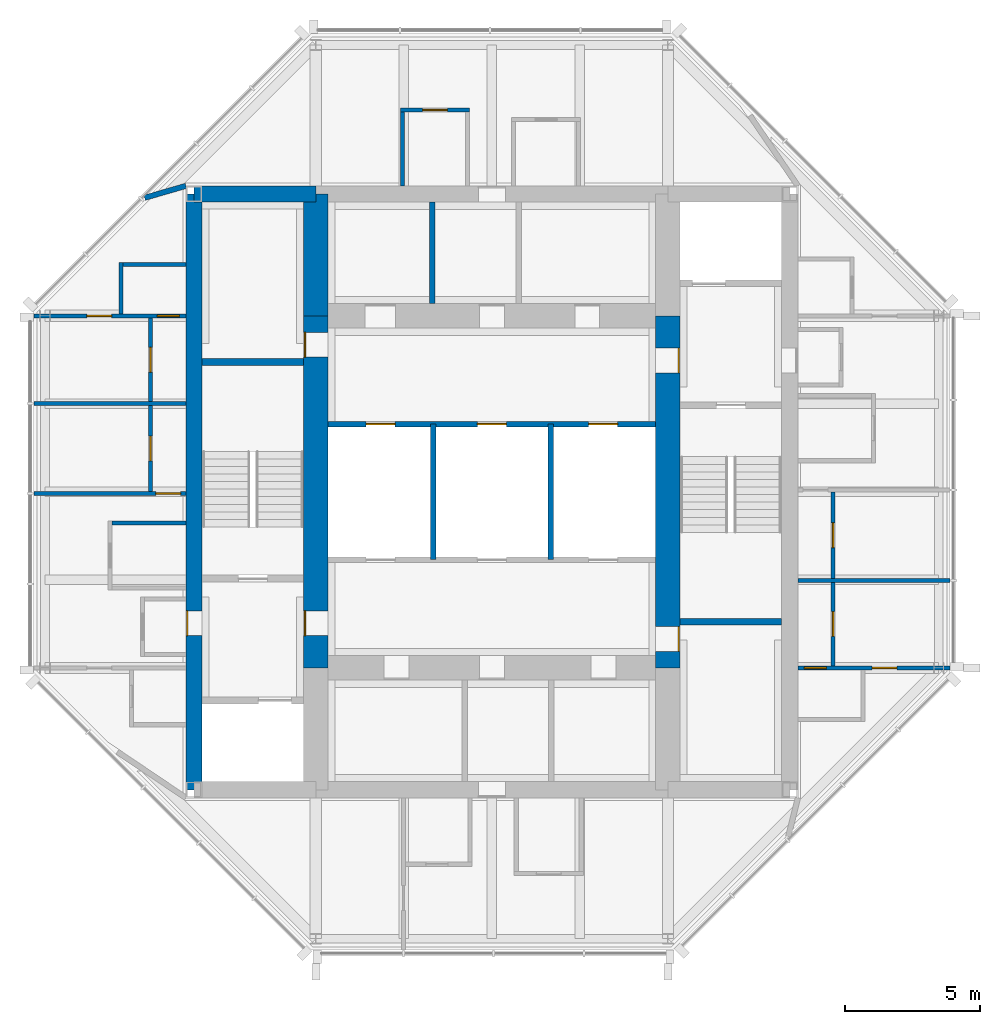
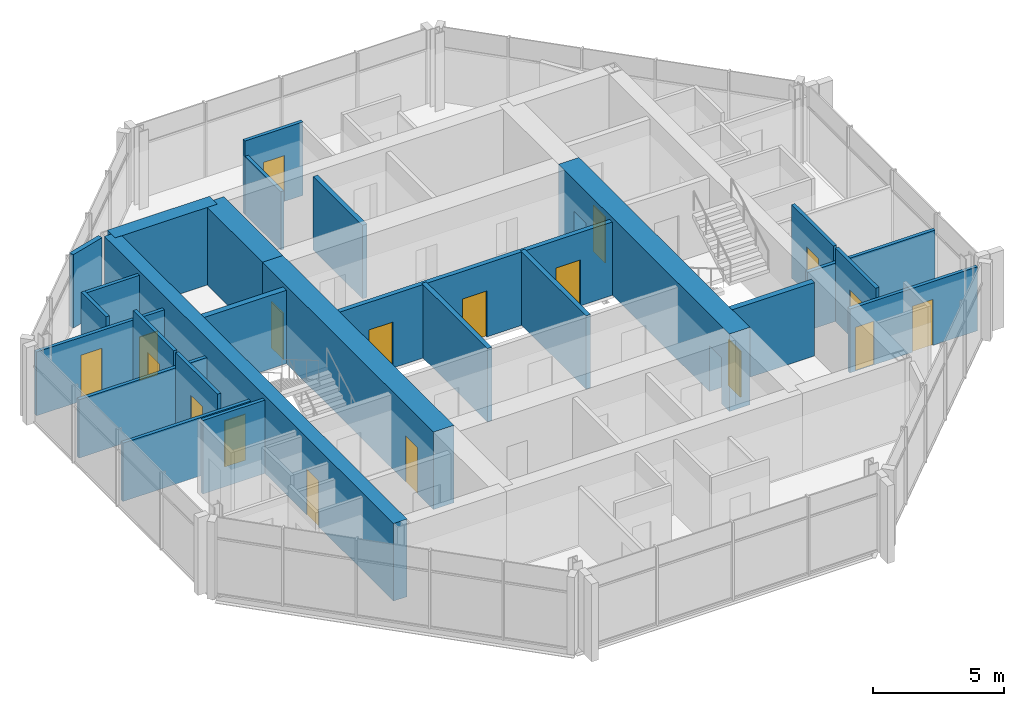
# One storey, part 6 of 9: 26 walls, 18 doors, 18 openings.
"""IFC4 building model written with IfcOpenShell, lengths in metres."""

from ifc_helpers import new_model, si_unit, direction, frame, frame_2d, origin, place, context, subcontext, project, spatial, rectangle, extrude, material, layer, layer_set, type_object, element, fill, save


model = new_model("IFC4")

# Units and contexts
model_context = context("Model", 3, precision=1e-05, world=origin(), true_north=direction((0.0, 1.0)))
body_context = subcontext(model_context, "Body", "Model", "MODEL_VIEW")
ifc_project = project(units=[si_unit("LENGTHUNIT", "METRE"), si_unit("AREAUNIT", "SQUARE_METRE"), si_unit("VOLUMEUNIT", "CUBIC_METRE"), si_unit("PLANEANGLEUNIT", "RADIAN"), si_unit("MASSUNIT", "GRAM", prefix="KILO")], contexts=[model_context])

# Site, building, storey
site_placement = place(None, origin())
site = spatial("IfcSite", under=ifc_project, at=site_placement, CompositionType="ELEMENT")
building_placement = place(site_placement, origin())
building = spatial("IfcBuilding", under=site, at=building_placement, Name="Trevanion Tower", CompositionType="ELEMENT")
storey_placement = place(building_placement, frame((0.0, 0.0, 288.39990234375)))
storey = spatial("IfcBuildingStorey", under=building, at=storey_placement, Name="L71", CompositionType="ELEMENT", Elevation=288.39990234375)

# Wall, opening, door
ifc_material_1 = material(Name="Concrete 10,000 psi", Category="concrete")
ifc_layer_1 = layer(ifc_material_1, 0.60009765625)
ifc_layer_set_1 = layer_set([ifc_layer_1], Name="CW1 core wall 600")
wall_type_1 = type_object("IfcWallType", Name="CW1 core wall 600", PredefinedType="SHEAR", material=ifc_layer_set_1)
wall_1_placement = place(storey_placement, frame((-11.0, 11.0, 0.0), z_axis=(0.0, 0.0, 1.0), x_axis=(0.0, -1.0, 0.0)))
wall_1 = element("IfcWall", 1, at=wall_1_placement, inside=storey, type_object=wall_type_1, Name="CW1 CW L71", PredefinedType="SHEAR", context=body_context, shape_type="SweptSolid", body=[
    extrude(rectangle(XDim=22.0, YDim=0.60009765625, at=frame_2d((11.0, 0.0))), origin(), (0.0, 0.0, 1.0), 3.60009765625),
])
opening_1_placement = place(wall_1_placement, frame((15.392578125, 0.0, 0.0)))
opening_1 = element("IfcOpeningElement", 2, at=opening_1_placement, cuts=wall_1, Name="Opening 71-002", PredefinedType="OPENING", context=body_context, shape_type="SweptSolid", body=[
    extrude(rectangle(XDim=0.9150390625, YDim=2.134033203125, at=frame_2d((0.45751953125, 1.06689453125))), frame((0.0, 0.31005859375, 0.0), z_axis=(0.0, -1.0, 0.0), x_axis=(1.0, 0.0, 0.0)), (0.0, 0.0, 1.0), 0.6201171875),
])
ifc_material_2 = material(Name="Hollow metal, fire rated", Category="steel")
door_type_1 = type_object("IfcDoorType", Name="D3 fire lift lobby door", OperationType="SINGLE_SWING_RIGHT", PredefinedType="DOOR", material=ifc_material_2)
door_1_placement = place(opening_1_placement, origin())
door_1 = element("IfcDoor", 3, at=door_1_placement, inside=storey, type_object=door_type_1, Name="Door 71-002", OperationType="SINGLE_SWING_RIGHT", OverallHeight=2.134033203125, OverallWidth=0.9150390625, PredefinedType="DOOR", context=body_context, shape_type="SweptSolid", body=[
    extrude(rectangle(XDim=0.9150390625, YDim=2.134033203125, at=frame_2d((0.45751953125, 1.06689453125))), frame((0.0, -0.22509765625, 0.0), z_axis=(0.0, -1.0, 0.0), x_axis=(1.0, 0.0, 0.0)), (0.0, 0.0, 1.0), 0.050048828125),
])
fill(opening_1, door_1)

# Wall
wall_2_placement = place(storey_placement, frame((-6.5, 11.0, 0.0), z_axis=(0.0, 0.0, 1.0), x_axis=(-1.0, 0.0, 0.0)))
element("IfcWall", 4, at=wall_2_placement, inside=storey, type_object=wall_type_1, Name="CW1 CN3 L71", PredefinedType="SHEAR", context=body_context, shape_type="SweptSolid", body=[
    extrude(rectangle(XDim=4.5, YDim=0.60009765625, at=frame_2d((2.25, 0.0))), origin(), (0.0, 0.0, 1.0), 3.60009765625),
])

# Wall, openings, doors
ifc_material_3 = material(Name="Concrete 10,000 psi", Category="concrete")
ifc_layer_2 = layer(ifc_material_3, 0.89990234375)
ifc_layer_set_2 = layer_set([ifc_layer_2], Name="CW2 core wall 900")
wall_type_2 = type_object("IfcWallType", Name="CW2 core wall 900", PredefinedType="SHEAR", material=ifc_layer_set_2)
wall_3_placement = place(storey_placement, frame((6.5, -6.5, 0.0), z_axis=(0.0, 0.0, 1.0), x_axis=(0.0, 1.0, 0.0)))
wall_3 = element("IfcWall", 5, at=wall_3_placement, inside=storey, type_object=wall_type_2, Name="CW2 RE2 L71", PredefinedType="SHEAR", context=body_context, shape_type="SweptSolid", body=[
    extrude(rectangle(XDim=13.0, YDim=0.89990234375, at=frame_2d((6.5, 0.0))), origin(), (0.0, 0.0, 1.0), 3.60009765625),
])
opening_2_placement = place(wall_3_placement, frame((10.892578125, 0.0, 0.0)))
opening_2 = element("IfcOpeningElement", 6, at=opening_2_placement, cuts=wall_3, Name="Opening 71-003", PredefinedType="OPENING", context=body_context, shape_type="SweptSolid", body=[
    extrude(rectangle(XDim=0.9150390625, YDim=2.134033203125, at=frame_2d((0.45751953125, 1.06689453125))), frame((0.0, 0.4599609375, 0.0), z_axis=(0.0, -1.0, 0.0), x_axis=(1.0, 0.0, 0.0)), (0.0, 0.0, 1.0), 0.919921875),
])
opening_3_placement = place(wall_3_placement, frame((0.610107421875, 0.0, 0.0)))
opening_3 = element("IfcOpeningElement", 7, at=opening_3_placement, cuts=wall_3, Name="Opening 71-009", PredefinedType="OPENING", context=body_context, shape_type="SweptSolid", body=[
    extrude(rectangle(XDim=0.9150390625, YDim=2.134033203125, at=frame_2d((0.45751953125, 1.06689453125))), frame((0.0, 0.4599609375, 0.0), z_axis=(0.0, -1.0, 0.0), x_axis=(1.0, 0.0, 0.0)), (0.0, 0.0, 1.0), 0.919921875),
])
door_2_placement = place(opening_2_placement, origin())
door_2 = element("IfcDoor", 8, at=door_2_placement, inside=storey, type_object=door_type_1, Name="Door 71-003", OperationType="SINGLE_SWING_RIGHT", OverallHeight=2.134033203125, OverallWidth=0.9150390625, PredefinedType="DOOR", context=body_context, shape_type="SweptSolid", body=[
    extrude(rectangle(XDim=0.9150390625, YDim=2.134033203125, at=frame_2d((0.45751953125, 1.06689453125))), frame((0.0, -0.375, 0.0), z_axis=(0.0, -1.0, 0.0), x_axis=(1.0, 0.0, 0.0)), (0.0, 0.0, 1.0), 0.050048828125),
])
fill(opening_2, door_2)
ifc_material_4 = material(Name="Hollow metal, fire rated", Category="steel")
door_type_2 = type_object("IfcDoorType", Name="D5 service room door", OperationType="SINGLE_SWING_RIGHT", PredefinedType="DOOR", material=ifc_material_4)
door_3_placement = place(opening_3_placement, origin())
door_3 = element("IfcDoor", 9, at=door_3_placement, inside=storey, type_object=door_type_2, Name="Door 71-009", OperationType="SINGLE_SWING_RIGHT", OverallHeight=2.134033203125, OverallWidth=0.9150390625, PredefinedType="DOOR", context=body_context, shape_type="SweptSolid", body=[
    extrude(rectangle(XDim=0.9150390625, YDim=2.134033203125, at=frame_2d((0.45751953125, 1.06689453125))), frame((0.0, -0.375, 0.0), z_axis=(0.0, -1.0, 0.0), x_axis=(1.0, 0.0, 0.0)), (0.0, 0.0, 1.0), 0.050048828125),
])
fill(opening_3, door_3)

# Wall
wall_4_placement = place(storey_placement, frame((-6.5, 11.0, 0.0), z_axis=(0.0, 0.0, 1.0), x_axis=(0.0, -1.0, 0.0)))
element("IfcWall", 10, at=wall_4_placement, inside=storey, type_object=wall_type_2, Name="CW2 RW1 L71", PredefinedType="SHEAR", context=body_context, shape_type="SweptSolid", body=[
    extrude(rectangle(XDim=4.5, YDim=0.89990234375, at=frame_2d((2.25, 0.0))), origin(), (0.0, 0.0, 1.0), 3.60009765625),
])

# Wall, openings, doors
wall_5_placement = place(storey_placement, frame((-6.5, 6.5, 0.0), z_axis=(0.0, 0.0, 1.0), x_axis=(0.0, -1.0, 0.0)))
wall_5 = element("IfcWall", 11, at=wall_5_placement, inside=storey, type_object=wall_type_2, Name="CW2 RW2 L71", PredefinedType="SHEAR", context=body_context, shape_type="SweptSolid", body=[
    extrude(rectangle(XDim=13.0, YDim=0.89990234375, at=frame_2d((6.5, 0.0))), origin(), (0.0, 0.0, 1.0), 3.60009765625),
])
opening_4_placement = place(wall_5_placement, frame((10.892578125, 0.0, 0.0)))
opening_4 = element("IfcOpeningElement", 12, at=opening_4_placement, cuts=wall_5, Name="Opening 71-004", PredefinedType="OPENING", context=body_context, shape_type="SweptSolid", body=[
    extrude(rectangle(XDim=0.9150390625, YDim=2.134033203125, at=frame_2d((0.45751953125, 1.06689453125))), frame((0.0, 0.4599609375, 0.0), z_axis=(0.0, -1.0, 0.0), x_axis=(1.0, 0.0, 0.0)), (0.0, 0.0, 1.0), 0.919921875),
])
opening_5_placement = place(wall_5_placement, frame((0.610107421875, 0.0, 0.0)))
opening_5 = element("IfcOpeningElement", 13, at=opening_5_placement, cuts=wall_5, Name="Opening 71-010", PredefinedType="OPENING", context=body_context, shape_type="SweptSolid", body=[
    extrude(rectangle(XDim=0.9150390625, YDim=2.134033203125, at=frame_2d((0.45751953125, 1.06689453125))), frame((0.0, 0.4599609375, 0.0), z_axis=(0.0, -1.0, 0.0), x_axis=(1.0, 0.0, 0.0)), (0.0, 0.0, 1.0), 0.919921875),
])
door_4_placement = place(opening_4_placement, origin())
door_4 = element("IfcDoor", 14, at=door_4_placement, inside=storey, type_object=door_type_1, Name="Door 71-004", OperationType="SINGLE_SWING_RIGHT", OverallHeight=2.134033203125, OverallWidth=0.9150390625, PredefinedType="DOOR", context=body_context, shape_type="SweptSolid", body=[
    extrude(rectangle(XDim=0.9150390625, YDim=2.134033203125, at=frame_2d((0.45751953125, 1.06689453125))), frame((0.0, -0.375, 0.0), z_axis=(0.0, -1.0, 0.0), x_axis=(1.0, 0.0, 0.0)), (0.0, 0.0, 1.0), 0.050048828125),
])
fill(opening_4, door_4)
door_5_placement = place(opening_5_placement, origin())
door_5 = element("IfcDoor", 15, at=door_5_placement, inside=storey, type_object=door_type_2, Name="Door 71-010", OperationType="SINGLE_SWING_RIGHT", OverallHeight=2.134033203125, OverallWidth=0.9150390625, PredefinedType="DOOR", context=body_context, shape_type="SweptSolid", body=[
    extrude(rectangle(XDim=0.9150390625, YDim=2.134033203125, at=frame_2d((0.45751953125, 1.06689453125))), frame((0.0, -0.375, 0.0), z_axis=(0.0, -1.0, 0.0), x_axis=(1.0, 0.0, 0.0)), (0.0, 0.0, 1.0), 0.050048828125),
])
fill(opening_5, door_5)

ifc_material_5 = material(Name="Gypsum board on steel studs", Category="steel")
ifc_layer_3 = layer(ifc_material_5, 0.14990234375)
ifc_layer_set_3 = layer_set([ifc_layer_3], Name="PT1 partition 150")
wall_type_3 = type_object("IfcWallType", Name="PT1 partition 150", PredefinedType="PARTITIONING", material=ifc_layer_set_3)
wall_6_placement = place(storey_placement, frame((11.300048828125, -6.5, 0.0), z_axis=(0.0, 0.0, 1.0), x_axis=(1.0, 0.0, 0.0)))
wall_6 = element("IfcWall", 16, at=wall_6_placement, inside=storey, type_object=wall_type_3, Name="PT1 L71 REC0", PredefinedType="PARTITIONING", context=body_context, shape_type="SweptSolid", body=[
    extrude(rectangle(XDim=5.614990234375, YDim=0.14990234375, at=frame_2d((2.8076171875, 0.0))), origin(), (0.0, 0.0, 1.0), 2.965576171875),
])
opening_6_placement = place(wall_6_placement, frame((0.243408203125, 0.0, 0.0)))
opening_6 = element("IfcOpeningElement", 17, at=opening_6_placement, cuts=wall_6, Name="Opening 71-031", PredefinedType="OPENING", context=body_context, shape_type="SweptSolid", body=[
    extrude(rectangle(XDim=0.81298828125, YDim=2.031982421875, at=frame_2d((0.406494140625, 1.01611328125))), frame((0.0, 0.0849609375, 0.0), z_axis=(0.0, -1.0, 0.0), x_axis=(1.0, 0.0, 0.0)), (0.0, 0.0, 1.0), 0.169921875),
])
opening_7_placement = place(wall_6_placement, frame((2.742431640625, 0.0, 0.0)))
opening_7 = element("IfcOpeningElement", 18, at=opening_7_placement, cuts=wall_6, Name="Opening 71-032", PredefinedType="OPENING", context=body_context, shape_type="SweptSolid", body=[
    extrude(rectangle(XDim=0.9150390625, YDim=2.134033203125, at=frame_2d((0.45751953125, 1.06689453125))), frame((0.0, 0.0849609375, 0.0), z_axis=(0.0, -1.0, 0.0), x_axis=(1.0, 0.0, 0.0)), (0.0, 0.0, 1.0), 0.169921875),
])
ifc_material_6 = material(Name="Timber veneer, solid core", Category="wood")
door_type_3 = type_object("IfcDoorType", Name="D1 office and meeting room door", OperationType="SINGLE_SWING_LEFT", PredefinedType="DOOR", material=ifc_material_6)
door_6_placement = place(opening_7_placement, origin())
door_6 = element("IfcDoor", 19, at=door_6_placement, inside=storey, type_object=door_type_3, Name="Door 71-032", OperationType="SINGLE_SWING_LEFT", OverallHeight=2.134033203125, OverallWidth=0.9150390625, PredefinedType="DOOR", context=body_context, shape_type="SweptSolid", body=[
    extrude(rectangle(XDim=0.9150390625, YDim=2.134033203125, at=frame_2d((0.45751953125, 1.06689453125))), frame((0.0, 0.02490234375, 0.0), z_axis=(0.0, -1.0, 0.0), x_axis=(1.0, 0.0, 0.0)), (0.0, 0.0, 1.0), 0.050048828125),
])
fill(opening_7, door_6)
ifc_material_7 = material(Name="Timber veneer", Category="wood")
door_type_4 = type_object("IfcDoorType", Name="D14 residence bathroom door", OperationType="SINGLE_SWING_LEFT", PredefinedType="DOOR", material=ifc_material_7)
door_7_placement = place(opening_6_placement, origin())
door_7 = element("IfcDoor", 20, at=door_7_placement, inside=storey, type_object=door_type_4, Name="Door 71-031", OperationType="SINGLE_SWING_LEFT", OverallHeight=2.031982421875, OverallWidth=0.81298828125, PredefinedType="DOOR", context=body_context, shape_type="SweptSolid", body=[
    extrude(rectangle(XDim=0.81298828125, YDim=2.031982421875, at=frame_2d((0.406494140625, 1.01611328125))), frame((0.0, 0.02490234375, 0.0), z_axis=(0.0, -1.0, 0.0), x_axis=(1.0, 0.0, 0.0)), (0.0, 0.0, 1.0), 0.050048828125),
])
fill(opening_6, door_7)

# Wall
wall_7_placement = place(storey_placement, frame((11.300048828125, -3.26611328125, 0.0), z_axis=(0.0, 0.0, 1.0), x_axis=(1.0, 0.0, 0.0)))
element("IfcWall", 21, at=wall_7_placement, inside=storey, type_object=wall_type_3, Name="PT1 L71 REC1", PredefinedType="PARTITIONING", context=body_context, shape_type="SweptSolid", body=[
    extrude(rectangle(XDim=5.614990234375, YDim=0.14990234375, at=frame_2d((2.8076171875, 0.0))), origin(), (0.0, 0.0, 1.0), 2.708984375),
])

# Wall, opening, door
wall_8_placement = place(storey_placement, frame((12.60009765625, -6.425048828125, 0.0), z_axis=(0.0, 0.0, 1.0), x_axis=(0.0, 1.0, 0.0)))
wall_8 = element("IfcWall", 22, at=wall_8_placement, inside=storey, type_object=wall_type_3, Name="PT1 L71 REH1", PredefinedType="PARTITIONING", context=body_context, shape_type="SweptSolid", body=[
    extrude(rectangle(XDim=3.083984375, YDim=0.14990234375, at=frame_2d((1.5419921875, 0.0))), origin(), (0.0, 0.0, 1.0), 3.41015625),
])
opening_8_placement = place(wall_8_placement, frame((1.08447265625, 0.0, 0.0)))
opening_8 = element("IfcOpeningElement", 23, at=opening_8_placement, cuts=wall_8, Name="Opening 71-028", PredefinedType="OPENING", context=body_context, shape_type="SweptSolid", body=[
    extrude(rectangle(XDim=0.9150390625, YDim=2.134033203125, at=frame_2d((0.45751953125, 1.06689453125))), frame((0.0, 0.0849609375, 0.0), z_axis=(0.0, -1.0, 0.0), x_axis=(1.0, 0.0, 0.0)), (0.0, 0.0, 1.0), 0.169921875),
])
door_8_placement = place(opening_8_placement, origin())
door_8 = element("IfcDoor", 24, at=door_8_placement, inside=storey, type_object=door_type_3, Name="Door 71-028", OperationType="SINGLE_SWING_LEFT", OverallHeight=2.134033203125, OverallWidth=0.9150390625, PredefinedType="DOOR", context=body_context, shape_type="SweptSolid", body=[
    extrude(rectangle(XDim=0.9150390625, YDim=2.134033203125, at=frame_2d((0.45751953125, 1.06689453125))), frame((0.0, 0.02490234375, 0.0), z_axis=(0.0, -1.0, 0.0), x_axis=(1.0, 0.0, 0.0)), (0.0, 0.0, 1.0), 0.050048828125),
])
fill(opening_8, door_8)

wall_9_placement = place(storey_placement, frame((12.60009765625, -3.19091796875, 0.0), z_axis=(0.0, 0.0, 1.0), x_axis=(0.0, 1.0, 0.0)))
wall_9 = element("IfcWall", 25, at=wall_9_placement, inside=storey, type_object=wall_type_3, Name="PT1 L71 REH2", PredefinedType="PARTITIONING", context=body_context, shape_type="SweptSolid", body=[
    extrude(rectangle(XDim=3.180908203125, YDim=0.14990234375, at=frame_2d((1.59033203125, 0.0))), origin(), (0.0, 0.0, 1.0), 3.41015625),
])
opening_9_placement = place(wall_9_placement, frame((1.133056640625, 0.0, 0.0)))
opening_9 = element("IfcOpeningElement", 26, at=opening_9_placement, cuts=wall_9, Name="Opening 71-029", PredefinedType="OPENING", context=body_context, shape_type="SweptSolid", body=[
    extrude(rectangle(XDim=0.9150390625, YDim=2.134033203125, at=frame_2d((0.45751953125, 1.06689453125))), frame((0.0, 0.0849609375, 0.0), z_axis=(0.0, -1.0, 0.0), x_axis=(1.0, 0.0, 0.0)), (0.0, 0.0, 1.0), 0.169921875),
])
door_9_placement = place(opening_9_placement, origin())
door_9 = element("IfcDoor", 27, at=door_9_placement, inside=storey, type_object=door_type_3, Name="Door 71-029", OperationType="SINGLE_SWING_LEFT", OverallHeight=2.134033203125, OverallWidth=0.9150390625, PredefinedType="DOOR", context=body_context, shape_type="SweptSolid", body=[
    extrude(rectangle(XDim=0.9150390625, YDim=2.134033203125, at=frame_2d((0.45751953125, 1.06689453125))), frame((0.0, 0.02490234375, 0.0), z_axis=(0.0, -1.0, 0.0), x_axis=(1.0, 0.0, 0.0)), (0.0, 0.0, 1.0), 0.050048828125),
])
fill(opening_9, door_9)

wall_10_placement = place(storey_placement, frame((-0.824951171875, 14.10009765625, 0.0), z_axis=(0.0, 0.0, 1.0), x_axis=(-1.0, 0.0, 0.0)))
wall_10 = element("IfcWall", 28, at=wall_10_placement, inside=storey, type_object=wall_type_3, Name="PT1 L71 RNKF", PredefinedType="PARTITIONING", context=body_context, shape_type="SweptSolid", body=[
    extrude(rectangle(XDim=2.550048828125, YDim=0.14990234375, at=frame_2d((1.27490234375, 0.0))), origin(), (0.0, 0.0, 1.0), 3.41015625),
])
opening_10_placement = place(wall_10_placement, frame((0.8173828125, 0.0, 0.0)))
opening_10 = element("IfcOpeningElement", 29, at=opening_10_placement, cuts=wall_10, Name="Opening 71-034", PredefinedType="OPENING", context=body_context, shape_type="SweptSolid", body=[
    extrude(rectangle(XDim=0.9150390625, YDim=2.134033203125, at=frame_2d((0.45751953125, 1.06689453125))), frame((0.0, 0.0849609375, 0.0), z_axis=(0.0, -1.0, 0.0), x_axis=(1.0, 0.0, 0.0)), (0.0, 0.0, 1.0), 0.169921875),
])
door_10_placement = place(opening_10_placement, origin())
door_10 = element("IfcDoor", 30, at=door_10_placement, inside=storey, type_object=door_type_3, Name="Door 71-034", OperationType="SINGLE_SWING_LEFT", OverallHeight=2.134033203125, OverallWidth=0.9150390625, PredefinedType="DOOR", context=body_context, shape_type="SweptSolid", body=[
    extrude(rectangle(XDim=0.9150390625, YDim=2.134033203125, at=frame_2d((0.45751953125, 1.06689453125))), frame((0.0, 0.02490234375, 0.0), z_axis=(0.0, -1.0, 0.0), x_axis=(1.0, 0.0, 0.0)), (0.0, 0.0, 1.0), 0.050048828125),
])
fill(opening_10, door_10)

# Wall
wall_11_placement = place(storey_placement, frame((-3.300048828125, 11.300048828125, 0.0), z_axis=(0.0, 0.0, 1.0), x_axis=(0.0, 1.0, 0.0)))
element("IfcWall", 31, at=wall_11_placement, inside=storey, type_object=wall_type_3, Name="PT1 L71 RNKB", PredefinedType="PARTITIONING", context=body_context, shape_type="SweptSolid", body=[
    extrude(rectangle(XDim=2.724853515625, YDim=0.14990234375, at=frame_2d((1.3623046875, 0.0))), origin(), (0.0, 0.0, 1.0), 2.708984375),
])

# Wall, openings, doors
wall_12_placement = place(storey_placement, frame((-11.300048828125, 6.5, 0.0), z_axis=(0.0, 0.0, 1.0), x_axis=(-1.0, 0.0, 0.0)))
wall_12 = element("IfcWall", 32, at=wall_12_placement, inside=storey, type_object=wall_type_3, Name="PT1 L71 RWC0", PredefinedType="PARTITIONING", context=body_context, shape_type="SweptSolid", body=[
    extrude(rectangle(XDim=5.614990234375, YDim=0.14990234375, at=frame_2d((2.8076171875, 0.0))), origin(), (0.0, 0.0, 1.0), 2.965576171875),
])
opening_11_placement = place(wall_12_placement, frame((0.243408203125, 0.0, 0.0)))
opening_11 = element("IfcOpeningElement", 33, at=opening_11_placement, cuts=wall_12, Name="Opening 71-042", PredefinedType="OPENING", context=body_context, shape_type="SweptSolid", body=[
    extrude(rectangle(XDim=0.81298828125, YDim=2.031982421875, at=frame_2d((0.406494140625, 1.01611328125))), frame((0.0, 0.0849609375, 0.0), z_axis=(0.0, -1.0, 0.0), x_axis=(1.0, 0.0, 0.0)), (0.0, 0.0, 1.0), 0.169921875),
])
opening_12_placement = place(wall_12_placement, frame((2.742431640625, 0.0, 0.0)))
opening_12 = element("IfcOpeningElement", 34, at=opening_12_placement, cuts=wall_12, Name="Opening 71-043", PredefinedType="OPENING", context=body_context, shape_type="SweptSolid", body=[
    extrude(rectangle(XDim=0.9150390625, YDim=2.134033203125, at=frame_2d((0.45751953125, 1.06689453125))), frame((0.0, 0.0849609375, 0.0), z_axis=(0.0, -1.0, 0.0), x_axis=(1.0, 0.0, 0.0)), (0.0, 0.0, 1.0), 0.169921875),
])
door_11_placement = place(opening_12_placement, origin())
door_11 = element("IfcDoor", 35, at=door_11_placement, inside=storey, type_object=door_type_3, Name="Door 71-043", OperationType="SINGLE_SWING_LEFT", OverallHeight=2.134033203125, OverallWidth=0.9150390625, PredefinedType="DOOR", context=body_context, shape_type="SweptSolid", body=[
    extrude(rectangle(XDim=0.9150390625, YDim=2.134033203125, at=frame_2d((0.45751953125, 1.06689453125))), frame((0.0, 0.02490234375, 0.0), z_axis=(0.0, -1.0, 0.0), x_axis=(1.0, 0.0, 0.0)), (0.0, 0.0, 1.0), 0.050048828125),
])
fill(opening_12, door_11)
door_12_placement = place(opening_11_placement, origin())
door_12 = element("IfcDoor", 36, at=door_12_placement, inside=storey, type_object=door_type_4, Name="Door 71-042", OperationType="SINGLE_SWING_LEFT", OverallHeight=2.031982421875, OverallWidth=0.81298828125, PredefinedType="DOOR", context=body_context, shape_type="SweptSolid", body=[
    extrude(rectangle(XDim=0.81298828125, YDim=2.031982421875, at=frame_2d((0.406494140625, 1.01611328125))), frame((0.0, 0.02490234375, 0.0), z_axis=(0.0, -1.0, 0.0), x_axis=(1.0, 0.0, 0.0)), (0.0, 0.0, 1.0), 0.050048828125),
])
fill(opening_11, door_12)

# Wall
wall_13_placement = place(storey_placement, frame((-11.300048828125, 3.26611328125, 0.0), z_axis=(0.0, 0.0, 1.0), x_axis=(-1.0, 0.0, 0.0)))
element("IfcWall", 37, at=wall_13_placement, inside=storey, type_object=wall_type_3, Name="PT1 L71 RWC1", PredefinedType="PARTITIONING", context=body_context, shape_type="SweptSolid", body=[
    extrude(rectangle(XDim=5.614990234375, YDim=0.14990234375, at=frame_2d((2.8076171875, 0.0))), origin(), (0.0, 0.0, 1.0), 2.708984375),
])

# Wall, opening, door
wall_14_placement = place(storey_placement, frame((-11.300048828125, -0.06494140625, 0.0), z_axis=(0.0, 0.0, 1.0), x_axis=(-1.0, 0.0, 0.0)))
wall_14 = element("IfcWall", 38, at=wall_14_placement, inside=storey, type_object=wall_type_3, Name="PT1 L71 RWC2", PredefinedType="PARTITIONING", context=body_context, shape_type="SweptSolid", body=[
    extrude(rectangle(XDim=5.614990234375, YDim=0.14990234375, at=frame_2d((2.8076171875, 0.0))), origin(), (0.0, 0.0, 1.0), 2.708984375),
])
opening_13_placement = place(wall_14_placement, frame((0.1923828125, 0.0, 0.0)))
opening_13 = element("IfcOpeningElement", 39, at=opening_13_placement, cuts=wall_14, Name="Opening 71-041", PredefinedType="OPENING", context=body_context, shape_type="SweptSolid", body=[
    extrude(rectangle(XDim=0.9150390625, YDim=2.134033203125, at=frame_2d((0.45751953125, 1.06689453125))), frame((0.0, 0.0849609375, 0.0), z_axis=(0.0, -1.0, 0.0), x_axis=(1.0, 0.0, 0.0)), (0.0, 0.0, 1.0), 0.169921875),
])
door_13_placement = place(opening_13_placement, origin())
door_13 = element("IfcDoor", 40, at=door_13_placement, inside=storey, type_object=door_type_3, Name="Door 71-041", OperationType="SINGLE_SWING_LEFT", OverallHeight=2.134033203125, OverallWidth=0.9150390625, PredefinedType="DOOR", context=body_context, shape_type="SweptSolid", body=[
    extrude(rectangle(XDim=0.9150390625, YDim=2.134033203125, at=frame_2d((0.45751953125, 1.06689453125))), frame((0.0, 0.02490234375, 0.0), z_axis=(0.0, -1.0, 0.0), x_axis=(1.0, 0.0, 0.0)), (0.0, 0.0, 1.0), 0.050048828125),
])
fill(opening_13, door_13)

# Wall
wall_15_placement = place(storey_placement, frame((-11.300048828125, -1.14990234375, 0.0), z_axis=(0.0, 0.0, 1.0), x_axis=(-1.0, 0.0, 0.0)))
element("IfcWall", 41, at=wall_15_placement, inside=storey, type_object=wall_type_3, Name="PT1 L71 RWKA", PredefinedType="PARTITIONING", context=body_context, shape_type="SweptSolid", body=[
    extrude(rectangle(XDim=2.724853515625, YDim=0.14990234375, at=frame_2d((1.3623046875, 0.0))), origin(), (0.0, 0.0, 1.0), 3.41015625),
])

# Wall, opening, door
wall_16_placement = place(storey_placement, frame((-12.60009765625, 6.425048828125, 0.0), z_axis=(0.0, 0.0, 1.0), x_axis=(0.0, -1.0, 0.0)))
wall_16 = element("IfcWall", 42, at=wall_16_placement, inside=storey, type_object=wall_type_3, Name="PT1 L71 RWH1", PredefinedType="PARTITIONING", context=body_context, shape_type="SweptSolid", body=[
    extrude(rectangle(XDim=3.083984375, YDim=0.14990234375, at=frame_2d((1.5419921875, 0.0))), origin(), (0.0, 0.0, 1.0), 3.41015625),
])
opening_14_placement = place(wall_16_placement, frame((1.08447265625, 0.0, 0.0)))
opening_14 = element("IfcOpeningElement", 43, at=opening_14_placement, cuts=wall_16, Name="Opening 71-039", PredefinedType="OPENING", context=body_context, shape_type="SweptSolid", body=[
    extrude(rectangle(XDim=0.9150390625, YDim=2.134033203125, at=frame_2d((0.45751953125, 1.06689453125))), frame((0.0, 0.0849609375, 0.0), z_axis=(0.0, -1.0, 0.0), x_axis=(1.0, 0.0, 0.0)), (0.0, 0.0, 1.0), 0.169921875),
])
door_14_placement = place(opening_14_placement, origin())
door_14 = element("IfcDoor", 44, at=door_14_placement, inside=storey, type_object=door_type_3, Name="Door 71-039", OperationType="SINGLE_SWING_LEFT", OverallHeight=2.134033203125, OverallWidth=0.9150390625, PredefinedType="DOOR", context=body_context, shape_type="SweptSolid", body=[
    extrude(rectangle(XDim=0.9150390625, YDim=2.134033203125, at=frame_2d((0.45751953125, 1.06689453125))), frame((0.0, 0.02490234375, 0.0), z_axis=(0.0, -1.0, 0.0), x_axis=(1.0, 0.0, 0.0)), (0.0, 0.0, 1.0), 0.050048828125),
])
fill(opening_14, door_14)

wall_17_placement = place(storey_placement, frame((-12.60009765625, 3.19091796875, 0.0), z_axis=(0.0, 0.0, 1.0), x_axis=(0.0, -1.0, 0.0)))
wall_17 = element("IfcWall", 45, at=wall_17_placement, inside=storey, type_object=wall_type_3, Name="PT1 L71 RWH2", PredefinedType="PARTITIONING", context=body_context, shape_type="SweptSolid", body=[
    extrude(rectangle(XDim=3.180908203125, YDim=0.14990234375, at=frame_2d((1.59033203125, 0.0))), origin(), (0.0, 0.0, 1.0), 3.41015625),
])
opening_15_placement = place(wall_17_placement, frame((1.133056640625, 0.0, 0.0)))
opening_15 = element("IfcOpeningElement", 46, at=opening_15_placement, cuts=wall_17, Name="Opening 71-040", PredefinedType="OPENING", context=body_context, shape_type="SweptSolid", body=[
    extrude(rectangle(XDim=0.9150390625, YDim=2.134033203125, at=frame_2d((0.45751953125, 1.06689453125))), frame((0.0, 0.0849609375, 0.0), z_axis=(0.0, -1.0, 0.0), x_axis=(1.0, 0.0, 0.0)), (0.0, 0.0, 1.0), 0.169921875),
])
door_15_placement = place(opening_15_placement, origin())
door_15 = element("IfcDoor", 47, at=door_15_placement, inside=storey, type_object=door_type_3, Name="Door 71-040", OperationType="SINGLE_SWING_LEFT", OverallHeight=2.134033203125, OverallWidth=0.9150390625, PredefinedType="DOOR", context=body_context, shape_type="SweptSolid", body=[
    extrude(rectangle(XDim=0.9150390625, YDim=2.134033203125, at=frame_2d((0.45751953125, 1.06689453125))), frame((0.0, 0.02490234375, 0.0), z_axis=(0.0, -1.0, 0.0), x_axis=(1.0, 0.0, 0.0)), (0.0, 0.0, 1.0), 0.050048828125),
])
fill(opening_15, door_15)

# Walls
wall_18_placement = place(storey_placement, frame((-13.699951171875, 6.574951171875, 0.0), z_axis=(0.0, 0.0, 1.0), x_axis=(0.0, 1.0, 0.0)))
element("IfcWall", 48, at=wall_18_placement, inside=storey, type_object=wall_type_3, Name="PT1 L71 RWTF", PredefinedType="PARTITIONING", context=body_context, shape_type="SweptSolid", body=[
    extrude(rectangle(XDim=1.900146484375, YDim=0.14990234375, at=frame_2d((0.9501953125, 0.0))), origin(), (0.0, 0.0, 1.0), 3.41015625),
])
wall_19_placement = place(storey_placement, frame((-11.300048828125, 8.39990234375, 0.0), z_axis=(0.0, 0.0, 1.0), x_axis=(-1.0, 0.0, 0.0)))
element("IfcWall", 49, at=wall_19_placement, inside=storey, type_object=wall_type_3, Name="PT1 L71 RWTA", PredefinedType="PARTITIONING", context=body_context, shape_type="SweptSolid", body=[
    extrude(rectangle(XDim=2.324951171875, YDim=0.14990234375, at=frame_2d((1.16259765625, 0.0))), origin(), (0.0, 0.0, 1.0), 3.41015625),
])

# Wall, openings, doors
ifc_material_8 = material(Name="Concrete masonry, grouted", Category="masonry")
ifc_layer_4 = layer(ifc_material_8, 0.199951171875)
ifc_layer_set_4 = layer_set([ifc_layer_4], Name="PT2 partition 200 1 HR")
wall_type_4 = type_object("IfcWallType", Name="PT2 partition 200 1 HR", PredefinedType="PARTITIONING", material=ifc_layer_set_4)
wall_20_placement = place(storey_placement, frame((-6.050048828125, 2.5, 0.0), z_axis=(0.0, 0.0, 1.0), x_axis=(1.0, 0.0, 0.0)))
wall_20 = element("IfcWall", 50, at=wall_20_placement, inside=storey, type_object=wall_type_4, Name="PT2 L71 CP1", PredefinedType="PARTITIONING", context=body_context, shape_type="SweptSolid", body=[
    extrude(rectangle(XDim=12.10009765625, YDim=0.199951171875, at=frame_2d((6.050048828125, 0.0))), origin(), (0.0, 0.0, 1.0), 3.41015625),
])
opening_16_placement = place(wall_20_placement, frame((1.408203125, 0.0, 0.0)))
opening_16 = element("IfcOpeningElement", 51, at=opening_16_placement, cuts=wall_20, Name="Opening 71-011", PredefinedType="OPENING", context=body_context, shape_type="SweptSolid", body=[
    extrude(rectangle(XDim=1.06689453125, YDim=2.134033203125, at=frame_2d((0.533447265625, 1.06689453125))), frame((0.0, 0.10986328125, 0.0), z_axis=(0.0, -1.0, 0.0), x_axis=(1.0, 0.0, 0.0)), (0.0, 0.0, 1.0), 0.219970703125),
])
opening_17_placement = place(wall_20_placement, frame((5.5166015625, 0.0, 0.0)))
opening_17 = element("IfcOpeningElement", 52, at=opening_17_placement, cuts=wall_20, Name="Opening 71-013", PredefinedType="OPENING", context=body_context, shape_type="SweptSolid", body=[
    extrude(rectangle(XDim=1.06689453125, YDim=2.134033203125, at=frame_2d((0.533447265625, 1.06689453125))), frame((0.0, 0.10986328125, 0.0), z_axis=(0.0, -1.0, 0.0), x_axis=(1.0, 0.0, 0.0)), (0.0, 0.0, 1.0), 0.219970703125),
])
opening_18_placement = place(wall_20_placement, frame((9.624755859375, 0.0, 0.0)))
opening_18 = element("IfcOpeningElement", 53, at=opening_18_placement, cuts=wall_20, Name="Opening 71-015", PredefinedType="OPENING", context=body_context, shape_type="SweptSolid", body=[
    extrude(rectangle(XDim=1.06689453125, YDim=2.134033203125, at=frame_2d((0.533447265625, 1.06689453125))), frame((0.0, 0.10986328125, 0.0), z_axis=(0.0, -1.0, 0.0), x_axis=(1.0, 0.0, 0.0)), (0.0, 0.0, 1.0), 0.219970703125),
])
ifc_material_9 = material(Name="Stainless steel, fire rated", Category="steel")
door_type_5 = type_object("IfcDoorType", Name="LD1 lift landing door", OperationType="SLIDING_TO_LEFT", PredefinedType="DOOR", material=ifc_material_9)
door_16_placement = place(opening_16_placement, origin())
door_16 = element("IfcDoor", 54, at=door_16_placement, inside=storey, type_object=door_type_5, Name="Door 71-011", OperationType="SLIDING_TO_LEFT", OverallHeight=2.134033203125, OverallWidth=1.06689453125, PredefinedType="DOOR", context=body_context, shape_type="SweptSolid", body=[
    extrude(rectangle(XDim=1.06689453125, YDim=2.134033203125, at=frame_2d((0.533447265625, 1.06689453125))), frame((0.0, 0.02490234375, 0.0), z_axis=(0.0, -1.0, 0.0), x_axis=(1.0, 0.0, 0.0)), (0.0, 0.0, 1.0), 0.050048828125),
])
fill(opening_16, door_16)
door_17_placement = place(opening_17_placement, origin())
door_17 = element("IfcDoor", 55, at=door_17_placement, inside=storey, type_object=door_type_5, Name="Door 71-013", OperationType="SLIDING_TO_LEFT", OverallHeight=2.134033203125, OverallWidth=1.06689453125, PredefinedType="DOOR", context=body_context, shape_type="SweptSolid", body=[
    extrude(rectangle(XDim=1.06689453125, YDim=2.134033203125, at=frame_2d((0.533447265625, 1.06689453125))), frame((0.0, 0.02490234375, 0.0), z_axis=(0.0, -1.0, 0.0), x_axis=(1.0, 0.0, 0.0)), (0.0, 0.0, 1.0), 0.050048828125),
])
fill(opening_17, door_17)
door_18_placement = place(opening_18_placement, origin())
door_18 = element("IfcDoor", 56, at=door_18_placement, inside=storey, type_object=door_type_5, Name="Door 71-015", OperationType="SLIDING_TO_LEFT", OverallHeight=2.134033203125, OverallWidth=1.06689453125, PredefinedType="DOOR", context=body_context, shape_type="SweptSolid", body=[
    extrude(rectangle(XDim=1.06689453125, YDim=2.134033203125, at=frame_2d((0.533447265625, 1.06689453125))), frame((0.0, 0.02490234375, 0.0), z_axis=(0.0, -1.0, 0.0), x_axis=(1.0, 0.0, 0.0)), (0.0, 0.0, 1.0), 0.050048828125),
])
fill(opening_18, door_18)

# Walls
wall_21_placement = place(storey_placement, frame((-2.199951171875, 6.949951171875, 0.0), z_axis=(0.0, 0.0, 1.0), x_axis=(0.0, 1.0, 0.0)))
element("IfcWall", 57, at=wall_21_placement, inside=storey, type_object=wall_type_4, Name="PT2 L71 CNP1", PredefinedType="PARTITIONING", context=body_context, shape_type="SweptSolid", body=[
    extrude(rectangle(XDim=3.75, YDim=0.199951171875, at=frame_2d((1.875, 0.0))), origin(), (0.0, 0.0, 1.0), 3.41015625),
])
wall_22_placement = place(storey_placement, frame((-11.300048828125, 11.300048828125, 0.0), z_axis=(0.0, 0.0, 1.0), x_axis=(-0.960552344683, -0.278099250491, 0.0)))
element("IfcWall", 58, at=wall_22_placement, inside=storey, type_object=wall_type_4, Name="PT2 L71 UB1", PredefinedType="PARTITIONING", context=body_context, shape_type="SweptSolid", body=[
    extrude(rectangle(XDim=1.583740234375, YDim=0.199951171875, at=frame_2d((0.7919921875, 0.0))), origin(), (0.0, 0.0, 1.0), 3.41015625),
])
ifc_material_10 = material(Name="Concrete masonry, grouted", Category="masonry")
ifc_layer_5 = layer(ifc_material_10, 0.199951171875)
ifc_layer_set_5 = layer_set([ifc_layer_5], Name="PT2 partition 200 2 HR")
wall_type_5 = type_object("IfcWallType", Name="PT2 partition 200 2 HR", PredefinedType="PARTITIONING", material=ifc_layer_set_5)
for number, where, z_axis, x_axis, name in (
    (59, (-2.166748046875, -2.5, 0.0), (0.0, 0.0, 1.0), (0.0, 1.0, 0.0), "PT2 L71 MS0"),
    (60, (2.166748046875, -2.5, 0.0), (0.0, 0.0, 1.0), (0.0, 1.0, 0.0), "PT2 L71 MS1"),
):
    element("IfcWall", number, at=place(storey_placement, frame(where, z_axis=z_axis, x_axis=x_axis)), inside=storey, type_object=wall_type_5, Name=name, PredefinedType="PARTITIONING", context=body_context, shape_type="SweptSolid", body=[
        extrude(rectangle(XDim=5.0, YDim=0.199951171875, at=frame_2d((2.5, 0.0))), origin(), (0.0, 0.0, 1.0), 3.41015625),
    ])
ifc_material_11 = material(Name="Reinforced masonry, fully grouted", Category="masonry")
ifc_layer_6 = layer(ifc_material_11, 0.25)
ifc_layer_set_6 = layer_set([ifc_layer_6], Name="SW1 stair shaft wall 250")
wall_type_6 = type_object("IfcWallType", Name="SW1 stair shaft wall 250", PredefinedType="SOLIDWALL", material=ifc_layer_set_6)
for number, where, z_axis, x_axis, name in (
    (61, (6.949951171875, -4.800048828125, 0.0), (0.0, 0.0, 1.0), (1.0, 0.0, 0.0), "SW1 L71 EP1"),
    (62, (-6.949951171875, 4.800048828125, 0.0), (0.0, 0.0, 1.0), (-1.0, 0.0, 0.0), "SW1 L71 WP1"),
):
    element("IfcWall", number, at=place(storey_placement, frame(where, z_axis=z_axis, x_axis=x_axis)), inside=storey, type_object=wall_type_6, Name=name, PredefinedType="SOLIDWALL", context=body_context, shape_type="SweptSolid", body=[
        extrude(rectangle(XDim=3.75, YDim=0.25, at=frame_2d((1.875, 0.0))), origin(), (0.0, 0.0, 1.0), 3.41015625),
    ])

save(model, "model.ifc")
